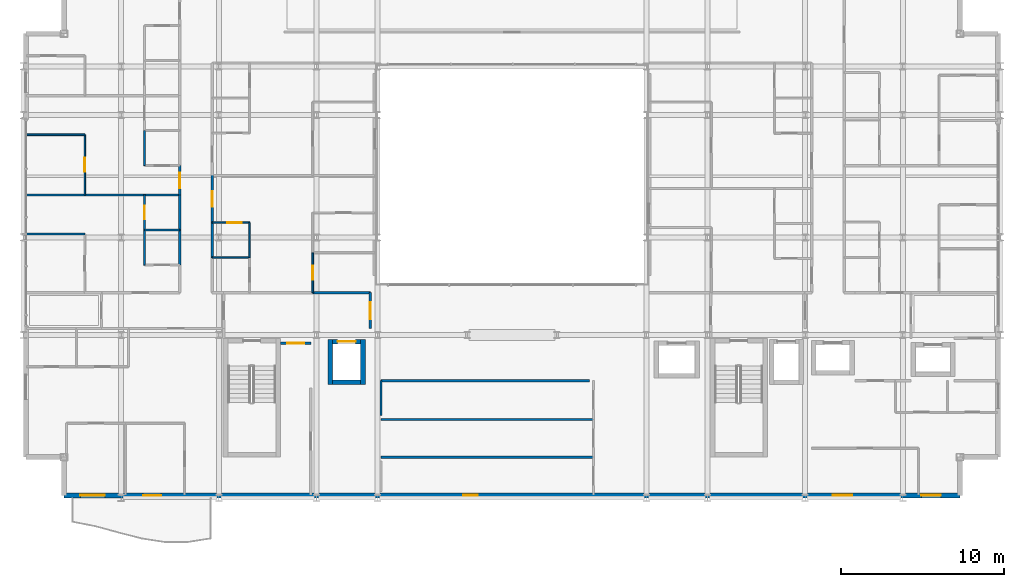
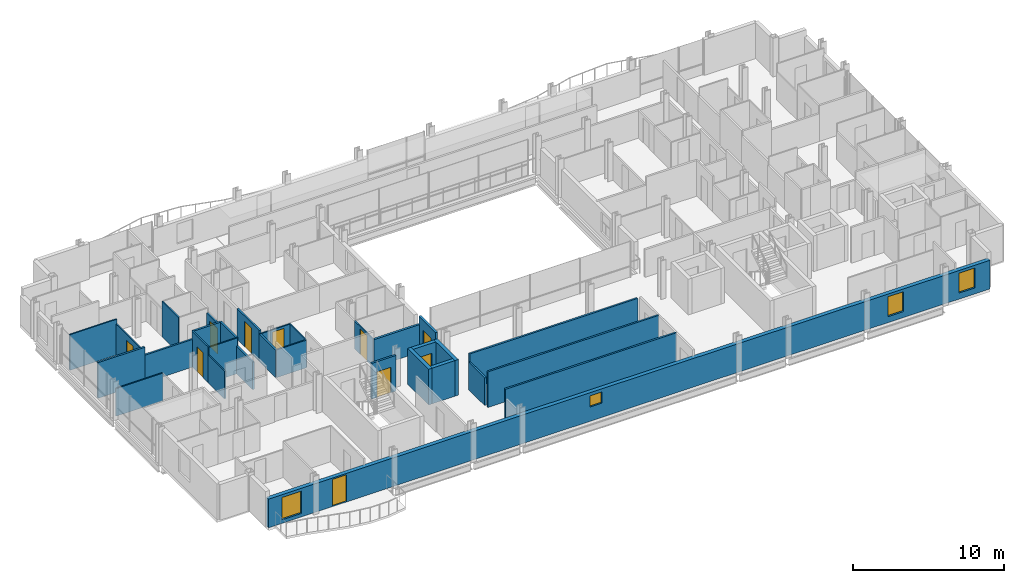
# One storey, part 32 of 41: 31 walls, 10 doors, 4 windows, 14 openings.
"""IFC4 building model written with IfcOpenShell, lengths in metres."""

from ifc_helpers import new_model, si_unit, direction, frame, frame_2d, origin, place, context, subcontext, project, spatial, rectangle, extrude, material, layer, layer_set, type_object, element, fill, save


model = new_model("IFC4")

# Units and contexts
model_context = context("Model", 3, precision=1e-05, world=origin(), true_north=direction((0.0, 1.0)))
body_context = subcontext(model_context, "Body", "Model", "MODEL_VIEW")
ifc_project = project(units=[si_unit("LENGTHUNIT", "METRE"), si_unit("AREAUNIT", "SQUARE_METRE"), si_unit("VOLUMEUNIT", "CUBIC_METRE"), si_unit("PLANEANGLEUNIT", "RADIAN"), si_unit("MASSUNIT", "GRAM", prefix="KILO")], contexts=[model_context])

# Site, building, storey
site_placement = place(None, origin())
site = spatial("IfcSite", under=ifc_project, at=site_placement, CompositionType="ELEMENT")
building_placement = place(site_placement, origin())
building = spatial("IfcBuilding", under=site, at=building_placement, Name="Brevholm Reach", CompositionType="ELEMENT")
storey_placement = place(building_placement, frame((0.0, 0.0, 86.89990234375)))
storey = spatial("IfcBuildingStorey", under=building, at=storey_placement, Name="L25", CompositionType="ELEMENT", Elevation=86.89990234375)

# Walls
ifc_material_1 = material(Name="Concrete C50/60", Category="concrete")
ifc_layer_1 = layer(ifc_material_1, 0.280029296875)
ifc_layer_set_1 = layer_set([ifc_layer_1], Name="Concrete C50/60")
wall_type_1 = type_object("IfcWallType", Name="WAL-COR-280", PredefinedType="SHEAR", material=ifc_layer_set_1)
for number, where, z_axis, x_axis, name in (
    (1, (18.85009765625, 6.9599609375, 0.0), (0.0, 0.0, 1.0), (0.0, 1.0, 0.0), "L25 Lift FFL-1 Shaft Wall W"),
    (2, (20.85009765625, 6.9599609375, 0.0), (0.0, 0.0, 1.0), (0.0, 1.0, 0.0), "L25 Lift FFL-1 Shaft Wall E"),
):
    element("IfcWall", number, at=place(storey_placement, frame(where, z_axis=z_axis, x_axis=x_axis)), inside=storey, type_object=wall_type_1, Name=name, PredefinedType="SHEAR", context=body_context, shape_type="SweptSolid", body=[
        extrude(rectangle(XDim=2.780029296875, YDim=0.280029296875, at=frame_2d((1.39013671875, 0.0))), origin(), (0.0, 0.0, 1.0), 2.8701171875),
    ])
wall_1_placement = place(storey_placement, frame((18.989990234375, 7.10009765625, 0.0), z_axis=(0.0, 0.0, 1.0), x_axis=(1.0, 0.0, 0.0)))
element("IfcWall", 3, at=wall_1_placement, inside=storey, type_object=wall_type_1, Name="L25 Lift FFL-1 Shaft Wall S", PredefinedType="SHEAR", context=body_context, shape_type="SweptSolid", body=[
    extrude(rectangle(XDim=1.719970703125, YDim=0.280029296875, at=frame_2d((0.85986328125, 0.0))), origin(), (0.0, 0.0, 1.0), 2.8701171875),
])

# Wall, opening, door
wall_2_placement = place(storey_placement, frame((18.989990234375, 9.60009765625, 0.0), z_axis=(0.0, 0.0, 1.0), x_axis=(1.0, 0.0, 0.0)))
wall_2 = element("IfcWall", 4, at=wall_2_placement, inside=storey, type_object=wall_type_1, Name="L25 Lift FFL-1 Shaft Wall N", PredefinedType="SHEAR", context=body_context, shape_type="SweptSolid", body=[
    extrude(rectangle(XDim=1.719970703125, YDim=0.280029296875, at=frame_2d((0.85986328125, 0.0))), origin(), (0.0, 0.0, 1.0), 2.8701171875),
])
opening_1_placement = place(wall_2_placement, frame((0.31005859375, 0.0, 0.0)))
opening_1 = element("IfcOpeningElement", 5, at=opening_1_placement, cuts=wall_2, Name="Opening LD-FFL-1", PredefinedType="OPENING", context=body_context, shape_type="SweptSolid", body=[
    extrude(rectangle(XDim=1.10009765625, YDim=2.06005859375, at=frame_2d((0.550048828125, 1.030029296875))), frame((0.0, 0.14990234375, 0.0), z_axis=(0.0, -1.0, 0.0), x_axis=(1.0, 0.0, 0.0)), (0.0, 0.0, 1.0), 0.300048828125),
])
ifc_material_2 = material(Name="Brushed Stainless Steel Fire-Rated Sliding Lift Door", Category="steel")
door_type_1 = type_object("IfcDoorType", Name="DOR-LFT-1100", OperationType="NOTDEFINED", PredefinedType="DOOR", material=ifc_material_2)
door_1_placement = place(opening_1_placement, origin())
door_1 = element("IfcDoor", 6, at=door_1_placement, inside=storey, type_object=door_type_1, Name="L25 Lift FFL-1 Sliding Landing Door", OperationType="SLIDING_TO_LEFT", OverallHeight=2.06005859375, OverallWidth=1.10009765625, PredefinedType="DOOR", context=body_context, shape_type="SweptSolid", body=[
    extrude(rectangle(XDim=1.10009765625, YDim=2.06005859375, at=frame_2d((0.550048828125, 1.030029296875))), frame((0.0, 0.02490234375, 0.0), z_axis=(0.0, -1.0, 0.0), x_axis=(1.0, 0.0, 0.0)), (0.0, 0.0, 1.0), 0.050048828125),
])
fill(opening_1, door_1)

# Wall, openings, door, windows
ifc_material_3 = material(Name="Concrete C40/50", Category="concrete")
ifc_layer_2 = layer(ifc_material_3, 0.300048828125)
ifc_layer_set_2 = layer_set([ifc_layer_2], Name="Concrete C40/50")
wall_type_2 = type_object("IfcWallType", Name="WAL-EXT-300", PredefinedType="STANDARD", material=ifc_layer_set_2)
wall_3_placement = place(storey_placement, frame((2.5, 0.14990234375, 0.0), z_axis=(0.0, 0.0, 1.0), x_axis=(1.0, 0.0, 0.0)))
wall_3 = element("IfcWall", 7, at=wall_3_placement, inside=storey, type_object=wall_type_2, Name="L25 Facade Wall WAL-L25-S", PredefinedType="STANDARD", context=body_context, shape_type="SweptSolid", body=[
    extrude(rectangle(XDim=55.0, YDim=0.300048828125, at=frame_2d((27.5, 0.0))), origin(), (0.0, 0.0, 1.0), 2.3056640625),
])
opening_2_placement = place(wall_3_placement, frame((4.85009765625, 0.0, 0.0)))
opening_2 = element("IfcOpeningElement", 8, at=opening_2_placement, cuts=wall_3, Name="Opening BD-01", PredefinedType="OPENING", context=body_context, shape_type="SweptSolid", body=[
    extrude(rectangle(XDim=1.10009765625, YDim=2.199951171875, at=frame_2d((0.550048828125, 1.10009765625))), frame((0.0, 0.159912109375, 0.0), z_axis=(0.0, -1.0, 0.0), x_axis=(1.0, 0.0, 0.0)), (0.0, 0.0, 1.0), 0.320068359375),
])
opening_3_placement = place(wall_3_placement, frame((1.0, 0.0, 0.284912109375)))
opening_3 = element("IfcOpeningElement", 9, at=opening_3_placement, cuts=wall_3, Name="Opening WN-05", PredefinedType="OPENING", context=body_context, shape_type="SweptSolid", body=[
    extrude(rectangle(XDim=1.5, YDim=1.800048828125, at=frame_2d((0.75, 0.89990234375))), frame((0.0, 0.159912109375, 0.0), z_axis=(0.0, -1.0, 0.0), x_axis=(1.0, 0.0, 0.0)), (0.0, 0.0, 1.0), 0.320068359375),
])
opening_4_placement = place(wall_3_placement, frame((24.5, 0.0, 1.14990234375)))
opening_4 = element("IfcOpeningElement", 10, at=opening_4_placement, cuts=wall_3, Name="Opening WN-09", PredefinedType="OPENING", context=body_context, shape_type="SweptSolid", body=[
    extrude(rectangle(XDim=0.89990234375, YDim=0.89990234375, at=frame_2d((0.449951171875, 0.449951171875))), frame((0.0, 0.159912109375, 0.0), z_axis=(0.0, -1.0, 0.0), x_axis=(1.0, 0.0, 0.0)), (0.0, 0.0, 1.0), 0.320068359375),
])
opening_5_placement = place(wall_3_placement, frame((47.199951171875, 0.0, 0.485107421875)))
opening_5 = element("IfcOpeningElement", 11, at=opening_5_placement, cuts=wall_3, Name="Opening WN-08", PredefinedType="OPENING", context=body_context, shape_type="SweptSolid", body=[
    extrude(rectangle(XDim=1.199951171875, YDim=1.60009765625, at=frame_2d((0.60009765625, 0.800048828125))), frame((0.0, 0.159912109375, 0.0), z_axis=(0.0, -1.0, 0.0), x_axis=(1.0, 0.0, 0.0)), (0.0, 0.0, 1.0), 0.320068359375),
])
opening_6_placement = place(wall_3_placement, frame((52.6298828125, 0.0, 0.485107421875)))
opening_6 = element("IfcOpeningElement", 12, at=opening_6_placement, cuts=wall_3, Name="Opening WN-08", PredefinedType="OPENING", context=body_context, shape_type="SweptSolid", body=[
    extrude(rectangle(XDim=1.199951171875, YDim=1.60009765625, at=frame_2d((0.60009765625, 0.800048828125))), frame((0.0, 0.159912109375, 0.0), z_axis=(0.0, -1.0, 0.0), x_axis=(1.0, 0.0, 0.0)), (0.0, 0.0, 1.0), 0.320068359375),
])
ifc_material_4 = material(Name="Dark Anodised Aluminium and Triple-Glazed Glass", Category="aluminium")
door_type_2 = type_object("IfcDoorType", Name="DOR-BALC-1100", OperationType="NOTDEFINED", PredefinedType="DOOR", material=ifc_material_4)
door_2_placement = place(opening_2_placement, origin())
door_2 = element("IfcDoor", 13, at=door_2_placement, inside=storey, type_object=door_type_2, Name="L25 Exterior Door DOR-L25-BL-SW", OperationType="SINGLE_SWING_LEFT", OverallHeight=2.199951171875, OverallWidth=1.10009765625, PredefinedType="DOOR", context=body_context, shape_type="SweptSolid", body=[
    extrude(rectangle(XDim=1.10009765625, YDim=2.199951171875, at=frame_2d((0.550048828125, 1.10009765625))), frame((0.0, 0.02490234375, 0.0), z_axis=(0.0, -1.0, 0.0), x_axis=(1.0, 0.0, 0.0)), (0.0, 0.0, 1.0), 0.050048828125),
])
fill(opening_2, door_2)
ifc_material_5 = material(Name="Dark Anodised Aluminium and Solar-Control IGU Glass", Category="aluminium")
window_type_1 = type_object("IfcWindowType", Name="WIN-POR-0900", PartitioningType="SINGLE_PANEL", PredefinedType="WINDOW", material=ifc_material_5)
window_1_placement = place(opening_4_placement, origin())
window_1 = element("IfcWindow", 14, at=window_1_placement, inside=storey, type_object=window_type_1, Name="L25 Window WIN-L25-S-POR", OverallHeight=0.89990234375, OverallWidth=0.89990234375, PartitioningType="SINGLE_PANEL", PredefinedType="WINDOW", context=body_context, shape_type="SweptSolid", body=[
    extrude(rectangle(XDim=0.89990234375, YDim=0.89990234375, at=frame_2d((0.449951171875, 0.449951171875))), frame((0.0, 0.030029296875, 0.0), z_axis=(0.0, -1.0, 0.0), x_axis=(1.0, 0.0, 0.0)), (0.0, 0.0, 1.0), 0.06005859375),
])
fill(opening_4, window_1)
ifc_material_6 = material(Name="Dark Anodised Aluminium and Solar-Control IGU Glass", Category="aluminium")
window_type_2 = type_object("IfcWindowType", Name="WIN-RES-1200", PartitioningType="SINGLE_PANEL", PredefinedType="WINDOW", material=ifc_material_6)
window_2_placement = place(opening_5_placement, origin())
window_2 = element("IfcWindow", 15, at=window_2_placement, inside=storey, type_object=window_type_2, Name="L25 Window WIN-L25-S-E1", OverallHeight=1.60009765625, OverallWidth=1.199951171875, PartitioningType="SINGLE_PANEL", PredefinedType="WINDOW", context=body_context, shape_type="SweptSolid", body=[
    extrude(rectangle(XDim=1.199951171875, YDim=1.60009765625, at=frame_2d((0.60009765625, 0.800048828125))), frame((0.0, 0.030029296875, 0.0), z_axis=(0.0, -1.0, 0.0), x_axis=(1.0, 0.0, 0.0)), (0.0, 0.0, 1.0), 0.06005859375),
])
fill(opening_5, window_2)
window_3_placement = place(opening_6_placement, origin())
window_3 = element("IfcWindow", 16, at=window_3_placement, inside=storey, type_object=window_type_2, Name="L25 Window WIN-L25-S-E2", OverallHeight=1.60009765625, OverallWidth=1.199951171875, PartitioningType="SINGLE_PANEL", PredefinedType="WINDOW", context=body_context, shape_type="SweptSolid", body=[
    extrude(rectangle(XDim=1.199951171875, YDim=1.60009765625, at=frame_2d((0.60009765625, 0.800048828125))), frame((0.0, 0.030029296875, 0.0), z_axis=(0.0, -1.0, 0.0), x_axis=(1.0, 0.0, 0.0)), (0.0, 0.0, 1.0), 0.06005859375),
])
fill(opening_6, window_3)
ifc_material_7 = material(Name="Dark Anodised Aluminium and Solar-Control IGU Glass", Category="aluminium")
window_type_3 = type_object("IfcWindowType", Name="WIN-RES-1500", PartitioningType="SINGLE_PANEL", PredefinedType="WINDOW", material=ifc_material_7)
window_4_placement = place(opening_3_placement, origin())
window_4 = element("IfcWindow", 17, at=window_4_placement, inside=storey, type_object=window_type_3, Name="L25 Window WIN-L25-S-W1", OverallHeight=1.800048828125, OverallWidth=1.5, PartitioningType="SINGLE_PANEL", PredefinedType="WINDOW", context=body_context, shape_type="SweptSolid", body=[
    extrude(rectangle(XDim=1.5, YDim=1.800048828125, at=frame_2d((0.75, 0.89990234375))), frame((0.0, 0.030029296875, 0.0), z_axis=(0.0, -1.0, 0.0), x_axis=(1.0, 0.0, 0.0)), (0.0, 0.0, 1.0), 0.06005859375),
])
fill(opening_3, window_4)

# Wall
ifc_material_8 = material(Name="Moisture-Resistant Acoustic Gypsum Stud Partition 100 mm", Category="gypsum")
ifc_layer_3 = layer(ifc_material_8, 0.10009765625)
ifc_layer_set_3 = layer_set([ifc_layer_3], Name="Moisture-Resistant Acoustic Gypsum Stud Partition 100 mm")
wall_type_3 = type_object("IfcWallType", Name="WAL-PRT-100", PredefinedType="PARTITIONING", material=ifc_layer_set_3)
wall_4_placement = place(storey_placement, frame((7.43798828125, 16.449951171875, 0.0), z_axis=(0.0, 0.0, 1.0), x_axis=(1.0, 0.0, 0.0)))
element("IfcWall", 18, at=wall_4_placement, inside=storey, type_object=wall_type_3, Name="L25 Internal Partition 085", PredefinedType="PARTITIONING", context=body_context, shape_type="SweptSolid", body=[
    extrude(rectangle(XDim=2.157958984375, YDim=0.10009765625, at=frame_2d((1.0791015625, 0.0))), origin(), (0.0, 0.0, 1.0), 2.8701171875),
])

# Wall, opening, door
wall_5_placement = place(storey_placement, frame((7.43798828125, 16.449951171875, 0.0), z_axis=(0.0, 0.0, 1.0), x_axis=(0.0, 1.0, 0.0)))
wall_5 = element("IfcWall", 19, at=wall_5_placement, inside=storey, type_object=wall_type_3, Name="L25 Internal Partition 086", PredefinedType="PARTITIONING", context=body_context, shape_type="SweptSolid", body=[
    extrude(rectangle(XDim=2.150146484375, YDim=0.10009765625, at=frame_2d((1.0751953125, 0.0))), origin(), (0.0, 0.0, 1.0), 2.8701171875),
])
opening_7_placement = place(wall_5_placement, frame((0.6650390625, 0.0, 0.0)))
opening_7 = element("IfcOpeningElement", 20, at=opening_7_placement, cuts=wall_5, Name="Opening ID-03", PredefinedType="OPENING", context=body_context, shape_type="SweptSolid", body=[
    extrude(rectangle(XDim=0.820068359375, YDim=2.02001953125, at=frame_2d((0.41015625, 1.010009765625))), frame((0.0, 0.06005859375, 0.0), z_axis=(0.0, -1.0, 0.0), x_axis=(1.0, 0.0, 0.0)), (0.0, 0.0, 1.0), 0.1201171875),
])
ifc_material_9 = material(Name="Moisture-Resistant Painted Timber Internal Bathroom Door", Category="wood")
door_type_3 = type_object("IfcDoorType", Name="DOR-BATH-820", OperationType="NOTDEFINED", PredefinedType="DOOR", material=ifc_material_9)
door_3_placement = place(opening_7_placement, origin())
door_3 = element("IfcDoor", 21, at=door_3_placement, inside=storey, type_object=door_type_3, Name="L25 Internal Door 031", OperationType="SINGLE_SWING_RIGHT", OverallHeight=2.02001953125, OverallWidth=0.820068359375, PredefinedType="DOOR", context=body_context, shape_type="SweptSolid", body=[
    extrude(rectangle(XDim=0.820068359375, YDim=2.02001953125, at=frame_2d((0.41015625, 1.010009765625))), frame((0.0, 0.02490234375, 0.0), z_axis=(0.0, -1.0, 0.0), x_axis=(1.0, 0.0, 0.0)), (0.0, 0.0, 1.0), 0.050048828125),
])
fill(opening_7, door_3)

# Walls
wall_6_placement = place(storey_placement, frame((7.43798828125, 14.300048828125, 0.0), z_axis=(0.0, 0.0, 1.0), x_axis=(0.0, 1.0, 0.0)))
element("IfcWall", 22, at=wall_6_placement, inside=storey, type_object=wall_type_3, Name="L25 Internal Partition 089", PredefinedType="PARTITIONING", context=body_context, shape_type="SweptSolid", body=[
    extrude(rectangle(XDim=2.14599609375, YDim=0.10009765625, at=frame_2d((1.072998046875, 0.0))), origin(), (0.0, 0.0, 1.0), 2.224853515625),
])
wall_7_placement = place(storey_placement, frame((0.199951171875, 16.199951171875, 0.0), z_axis=(0.0, 0.0, 1.0), x_axis=(1.0, 0.0, 0.0)))
element("IfcWall", 23, at=wall_7_placement, inside=storey, type_object=wall_type_3, Name="L25 Internal Partition 091", PredefinedType="PARTITIONING", context=body_context, shape_type="SweptSolid", body=[
    extrude(rectangle(XDim=3.572021484375, YDim=0.10009765625, at=frame_2d((1.7861328125, 0.0))), origin(), (0.0, 0.0, 1.0), 2.224853515625),
])
wall_8_placement = place(storey_placement, frame((7.43798828125, 20.39990234375, 0.0), z_axis=(0.0, 0.0, 1.0), x_axis=(0.0, 1.0, 0.0)))
element("IfcWall", 24, at=wall_8_placement, inside=storey, type_object=wall_type_3, Name="L25 Internal Partition 098", PredefinedType="PARTITIONING", context=body_context, shape_type="SweptSolid", body=[
    extrude(rectangle(XDim=2.14599609375, YDim=0.10009765625, at=frame_2d((1.072998046875, 0.0))), origin(), (0.0, 0.0, 1.0), 2.8701171875),
])

# Wall, opening, door
wall_9_placement = place(storey_placement, frame((3.77197265625, 18.60400390625, 0.0), z_axis=(0.0, 0.0, 1.0), x_axis=(0.0, 1.0, 0.0)))
wall_9 = element("IfcWall", 25, at=wall_9_placement, inside=storey, type_object=wall_type_3, Name="L25 Internal Partition 099", PredefinedType="PARTITIONING", context=body_context, shape_type="SweptSolid", body=[
    extrude(rectangle(XDim=3.696044921875, YDim=0.10009765625, at=frame_2d((1.84814453125, 0.0))), origin(), (0.0, 0.0, 1.0), 2.489990234375),
])
opening_8_placement = place(wall_9_placement, frame((1.407958984375, 0.0, 0.0)))
opening_8 = element("IfcOpeningElement", 26, at=opening_8_placement, cuts=wall_9, Name="Opening ID-01", PredefinedType="OPENING", context=body_context, shape_type="SweptSolid", body=[
    extrude(rectangle(XDim=0.8798828125, YDim=2.0400390625, at=frame_2d((0.43994140625, 1.02001953125))), frame((0.0, 0.06005859375, 0.0), z_axis=(0.0, -1.0, 0.0), x_axis=(1.0, 0.0, 0.0)), (0.0, 0.0, 1.0), 0.1201171875),
])
ifc_material_10 = material(Name="Lacquered Ash Solid-Core Acoustic Internal Door", Category="timber")
door_type_4 = type_object("IfcDoorType", Name="DOR-INT-880", OperationType="NOTDEFINED", PredefinedType="DOOR", material=ifc_material_10)
door_4_placement = place(opening_8_placement, origin())
door_4 = element("IfcDoor", 27, at=door_4_placement, inside=storey, type_object=door_type_4, Name="L25 Internal Door 036", OperationType="SINGLE_SWING_LEFT", OverallHeight=2.0400390625, OverallWidth=0.8798828125, PredefinedType="DOOR", context=body_context, shape_type="SweptSolid", body=[
    extrude(rectangle(XDim=0.8798828125, YDim=2.0400390625, at=frame_2d((0.43994140625, 1.02001953125))), frame((0.0, 0.02490234375, 0.0), z_axis=(0.0, -1.0, 0.0), x_axis=(1.0, 0.0, 0.0)), (0.0, 0.0, 1.0), 0.050048828125),
])
fill(opening_8, door_4)

# Walls
wall_10_placement = place(storey_placement, frame((0.199951171875, 22.300048828125, 0.0), z_axis=(0.0, 0.0, 1.0), x_axis=(1.0, 0.0, 0.0)))
element("IfcWall", 28, at=wall_10_placement, inside=storey, type_object=wall_type_3, Name="L25 Internal Partition 100", PredefinedType="PARTITIONING", context=body_context, shape_type="SweptSolid", body=[
    extrude(rectangle(XDim=3.572021484375, YDim=0.10009765625, at=frame_2d((1.7861328125, 0.0))), origin(), (0.0, 0.0, 1.0), 2.8701171875),
])
wall_11_placement = place(storey_placement, frame((11.60400390625, 14.75, 0.0), z_axis=(0.0, 0.0, 1.0), x_axis=(1.0, 0.0, 0.0)))
element("IfcWall", 29, at=wall_11_placement, inside=storey, type_object=wall_type_3, Name="L25 Internal Partition 109", PredefinedType="PARTITIONING", context=body_context, shape_type="SweptSolid", body=[
    extrude(rectangle(XDim=2.284912109375, YDim=0.10009765625, at=frame_2d((1.142578125, 0.0))), origin(), (0.0, 0.0, 1.0), 2.224853515625),
])
wall_12_placement = place(storey_placement, frame((13.888916015625, 14.75390625, 0.0), z_axis=(0.0, 0.0, 1.0), x_axis=(0.0, 1.0, 0.0)))
element("IfcWall", 30, at=wall_12_placement, inside=storey, type_object=wall_type_3, Name="L25 Internal Partition 111", PredefinedType="PARTITIONING", context=body_context, shape_type="SweptSolid", body=[
    extrude(rectangle(XDim=2.14599609375, YDim=0.10009765625, at=frame_2d((1.072998046875, 0.0))), origin(), (0.0, 0.0, 1.0), 2.224853515625),
])

# Wall, opening, door
wall_13_placement = place(storey_placement, frame((11.60400390625, 16.89990234375, 0.0), z_axis=(0.0, 0.0, 1.0), x_axis=(1.0, 0.0, 0.0)))
wall_13 = element("IfcWall", 31, at=wall_13_placement, inside=storey, type_object=wall_type_3, Name="L25 Internal Partition 112", PredefinedType="PARTITIONING", context=body_context, shape_type="SweptSolid", body=[
    extrude(rectangle(XDim=2.284912109375, YDim=0.10009765625, at=frame_2d((1.142578125, 0.0))), origin(), (0.0, 0.0, 1.0), 2.224853515625),
])
opening_9_placement = place(wall_13_placement, frame((0.922607421875, 0.0, 0.0)))
opening_9 = element("IfcOpeningElement", 32, at=opening_9_placement, cuts=wall_13, Name="Opening ID-01", PredefinedType="OPENING", context=body_context, shape_type="SweptSolid", body=[
    extrude(rectangle(XDim=0.8798828125, YDim=2.0400390625, at=frame_2d((0.43994140625, 1.02001953125))), frame((0.0, 0.06005859375, 0.0), z_axis=(0.0, -1.0, 0.0), x_axis=(1.0, 0.0, 0.0)), (0.0, 0.0, 1.0), 0.1201171875),
])
door_5_placement = place(opening_9_placement, origin())
door_5 = element("IfcDoor", 33, at=door_5_placement, inside=storey, type_object=door_type_4, Name="L25 Internal Door 041", OperationType="SINGLE_SWING_RIGHT", OverallHeight=2.0400390625, OverallWidth=0.8798828125, PredefinedType="DOOR", context=body_context, shape_type="SweptSolid", body=[
    extrude(rectangle(XDim=0.8798828125, YDim=2.0400390625, at=frame_2d((0.43994140625, 1.02001953125))), frame((0.0, 0.02490234375, 0.0), z_axis=(0.0, -1.0, 0.0), x_axis=(1.0, 0.0, 0.0)), (0.0, 0.0, 1.0), 0.050048828125),
])
fill(opening_9, door_5)

wall_14_placement = place(storey_placement, frame((17.76904296875, 12.60400390625, 0.0), z_axis=(0.0, 0.0, 1.0), x_axis=(0.0, 1.0, 0.0)))
wall_14 = element("IfcWall", 34, at=wall_14_placement, inside=storey, type_object=wall_type_3, Name="L25 Internal Partition 114", PredefinedType="PARTITIONING", context=body_context, shape_type="SweptSolid", body=[
    extrude(rectangle(XDim=2.446044921875, YDim=0.10009765625, at=frame_2d((1.22314453125, 0.0))), origin(), (0.0, 0.0, 1.0), 2.224853515625),
])
opening_10_placement = place(wall_14_placement, frame((0.782958984375, 0.0, 0.0)))
opening_10 = element("IfcOpeningElement", 35, at=opening_10_placement, cuts=wall_14, Name="Opening ID-01", PredefinedType="OPENING", context=body_context, shape_type="SweptSolid", body=[
    extrude(rectangle(XDim=0.8798828125, YDim=2.0400390625, at=frame_2d((0.43994140625, 1.02001953125))), frame((0.0, 0.06005859375, 0.0), z_axis=(0.0, -1.0, 0.0), x_axis=(1.0, 0.0, 0.0)), (0.0, 0.0, 1.0), 0.1201171875),
])
door_6_placement = place(opening_10_placement, origin())
door_6 = element("IfcDoor", 36, at=door_6_placement, inside=storey, type_object=door_type_4, Name="L25 Internal Door 042", OperationType="SINGLE_SWING_LEFT", OverallHeight=2.0400390625, OverallWidth=0.8798828125, PredefinedType="DOOR", context=body_context, shape_type="SweptSolid", body=[
    extrude(rectangle(XDim=0.8798828125, YDim=2.0400390625, at=frame_2d((0.43994140625, 1.02001953125))), frame((0.0, 0.02490234375, 0.0), z_axis=(0.0, -1.0, 0.0), x_axis=(1.0, 0.0, 0.0)), (0.0, 0.0, 1.0), 0.050048828125),
])
fill(opening_10, door_6)

# Walls
ifc_material_11 = material(Name="Twin-Stud Acoustic Fire-Rated Gypsum Partition 140 mm", Category="gypsum")
ifc_layer_4 = layer(ifc_material_11, 0.139892578125)
ifc_layer_set_4 = layer_set([ifc_layer_4], Name="Twin-Stud Acoustic Fire-Rated Gypsum Partition 140 mm")
wall_type_4 = type_object("IfcWallType", Name="WAL-PRT-140", PredefinedType="PARTITIONING", material=ifc_layer_set_4)
for number, where, z_axis, x_axis, name in (
    (37, (21.949951171875, 2.4970703125, 0.0), (0.0, 0.0, 1.0), (1.0, 0.0, 0.0), "L25 Internal Partition 004"),
    (38, (21.949951171875, 4.81298828125, 0.0), (0.0, 0.0, 1.0), (1.0, 0.0, 0.0), "L25 Internal Partition 005"),
):
    element("IfcWall", number, at=place(storey_placement, frame(where, z_axis=z_axis, x_axis=x_axis)), inside=storey, type_object=wall_type_4, Name=name, PredefinedType="PARTITIONING", context=body_context, shape_type="SweptSolid", body=[
        extrude(rectangle(XDim=13.046142578125, YDim=0.139892578125, at=frame_2d((6.52294921875, 0.0))), origin(), (0.0, 0.0, 1.0), 2.8701171875),
    ])
wall_15_placement = place(storey_placement, frame((9.60009765625, 16.438720703125, 0.0), z_axis=(0.0, 0.0, 1.0), x_axis=(0.0, 1.0, 0.0)))
element("IfcWall", 39, at=wall_15_placement, inside=storey, type_object=wall_type_4, Name="L25 Internal Partition 030", PredefinedType="PARTITIONING", context=body_context, shape_type="SweptSolid", body=[
    extrude(rectangle(XDim=2.172607421875, YDim=0.139892578125, at=frame_2d((1.08642578125, 0.0))), origin(), (0.0, 0.0, 1.0), 2.8701171875),
])
wall_16_placement = place(storey_placement, frame((9.60009765625, 14.288818359375, 0.0), z_axis=(0.0, 0.0, 1.0), x_axis=(0.0, 1.0, 0.0)))
element("IfcWall", 40, at=wall_16_placement, inside=storey, type_object=wall_type_4, Name="L25 Internal Partition 031", PredefinedType="PARTITIONING", context=body_context, shape_type="SweptSolid", body=[
    extrude(rectangle(XDim=2.16845703125, YDim=0.139892578125, at=frame_2d((1.084228515625, 0.0))), origin(), (0.0, 0.0, 1.0), 2.224853515625),
])

# Wall, opening, door
wall_17_placement = place(storey_placement, frame((9.60009765625, 18.5927734375, 0.0), z_axis=(0.0, 0.0, 1.0), x_axis=(0.0, 1.0, 0.0)))
wall_17 = element("IfcWall", 41, at=wall_17_placement, inside=storey, type_object=wall_type_4, Name="L25 Internal Partition 035", PredefinedType="PARTITIONING", context=body_context, shape_type="SweptSolid", body=[
    extrude(rectangle(XDim=1.814453125, YDim=0.139892578125, at=frame_2d((0.9072265625, 0.0))), origin(), (0.0, 0.0, 1.0), 2.489990234375),
])
opening_11_placement = place(wall_17_placement, frame((0.432373046875, 0.0, 0.0)))
opening_11 = element("IfcOpeningElement", 42, at=opening_11_placement, cuts=wall_17, Name="Opening ID-30", PredefinedType="OPENING", context=body_context, shape_type="SweptSolid", body=[
    extrude(rectangle(XDim=0.949951171875, YDim=2.050048828125, at=frame_2d((0.47509765625, 1.02490234375))), frame((0.0, 0.079833984375, 0.0), z_axis=(0.0, -1.0, 0.0), x_axis=(1.0, 0.0, 0.0)), (0.0, 0.0, 1.0), 0.159912109375),
])
ifc_material_12 = material(Name="European Oak Veneered Solid-Core Fire Entrance Door", Category="timber")
door_type_5 = type_object("IfcDoorType", Name="DOR-FLT-FD30S", OperationType="NOTDEFINED", PredefinedType="DOOR", material=ifc_material_12)
door_7_placement = place(opening_11_placement, origin())
door_7 = element("IfcDoor", 43, at=door_7_placement, inside=storey, type_object=door_type_5, Name="L25 Internal Door 016", OperationType="SINGLE_SWING_LEFT", OverallHeight=2.050048828125, OverallWidth=0.949951171875, PredefinedType="DOOR", context=body_context, shape_type="SweptSolid", body=[
    extrude(rectangle(XDim=0.949951171875, YDim=2.050048828125, at=frame_2d((0.47509765625, 1.02490234375))), frame((0.0, 0.02490234375, 0.0), z_axis=(0.0, -1.0, 0.0), x_axis=(1.0, 0.0, 0.0)), (0.0, 0.0, 1.0), 0.050048828125),
])
fill(opening_11, door_7)

# Wall
wall_18_placement = place(storey_placement, frame((11.60009765625, 14.74267578125, 0.0), z_axis=(0.0, 0.0, 1.0), x_axis=(0.0, 1.0, 0.0)))
element("IfcWall", 44, at=wall_18_placement, inside=storey, type_object=wall_type_4, Name="L25 Internal Partition 040", PredefinedType="PARTITIONING", context=body_context, shape_type="SweptSolid", body=[
    extrude(rectangle(XDim=2.168701171875, YDim=0.139892578125, at=frame_2d((1.08447265625, 0.0))), origin(), (0.0, 0.0, 1.0), 2.224853515625),
])

# Wall, opening, door
wall_19_placement = place(storey_placement, frame((11.60009765625, 16.892578125, 0.0), z_axis=(0.0, 0.0, 1.0), x_axis=(0.0, 1.0, 0.0)))
wall_19 = element("IfcWall", 45, at=wall_19_placement, inside=storey, type_object=wall_type_4, Name="L25 Internal Partition 041", PredefinedType="PARTITIONING", context=body_context, shape_type="SweptSolid", body=[
    extrude(rectangle(XDim=2.918701171875, YDim=0.139892578125, at=frame_2d((1.45947265625, 0.0))), origin(), (0.0, 0.0, 1.0), 2.489990234375),
])
opening_12_placement = place(wall_19_placement, frame((0.984375, 0.0, 0.0)))
opening_12 = element("IfcOpeningElement", 46, at=opening_12_placement, cuts=wall_19, Name="Opening ID-30", PredefinedType="OPENING", context=body_context, shape_type="SweptSolid", body=[
    extrude(rectangle(XDim=0.949951171875, YDim=2.050048828125, at=frame_2d((0.47509765625, 1.02490234375))), frame((0.0, 0.079833984375, 0.0), z_axis=(0.0, -1.0, 0.0), x_axis=(1.0, 0.0, 0.0)), (0.0, 0.0, 1.0), 0.159912109375),
])
door_8_placement = place(opening_12_placement, origin())
door_8 = element("IfcDoor", 47, at=door_8_placement, inside=storey, type_object=door_type_5, Name="L25 Internal Door 018", OperationType="SINGLE_SWING_LEFT", OverallHeight=2.050048828125, OverallWidth=0.949951171875, PredefinedType="DOOR", context=body_context, shape_type="SweptSolid", body=[
    extrude(rectangle(XDim=0.949951171875, YDim=2.050048828125, at=frame_2d((0.47509765625, 1.02490234375))), frame((0.0, 0.02490234375, 0.0), z_axis=(0.0, -1.0, 0.0), x_axis=(1.0, 0.0, 0.0)), (0.0, 0.0, 1.0), 0.050048828125),
])
fill(opening_12, door_8)

# Walls
wall_20_placement = place(storey_placement, frame((7.43798828125, 18.60009765625, 0.0), z_axis=(0.0, 0.0, 1.0), x_axis=(1.0, 0.0, 0.0)))
element("IfcWall", 48, at=wall_20_placement, inside=storey, type_object=wall_type_4, Name="L25 Internal Partition 087", PredefinedType="PARTITIONING", context=body_context, shape_type="SweptSolid", body=[
    extrude(rectangle(XDim=2.157958984375, YDim=0.139892578125, at=frame_2d((1.0791015625, 0.0))), origin(), (0.0, 0.0, 1.0), 2.8701171875),
])
wall_21_placement = place(storey_placement, frame((0.199951171875, 18.60009765625, 0.0), z_axis=(0.0, 0.0, 1.0), x_axis=(1.0, 0.0, 0.0)))
element("IfcWall", 49, at=wall_21_placement, inside=storey, type_object=wall_type_4, Name="L25 Internal Partition 092", PredefinedType="PARTITIONING", context=body_context, shape_type="SweptSolid", body=[
    extrude(rectangle(XDim=3.583251953125, YDim=0.139892578125, at=frame_2d((1.79150390625, 0.0))), origin(), (0.0, 0.0, 1.0), 2.8701171875),
])
wall_22_placement = place(storey_placement, frame((3.7646484375, 18.60009765625, 0.0), z_axis=(0.0, 0.0, 1.0), x_axis=(1.0, 0.0, 0.0)))
element("IfcWall", 50, at=wall_22_placement, inside=storey, type_object=wall_type_4, Name="L25 Internal Partition 093", PredefinedType="PARTITIONING", context=body_context, shape_type="SweptSolid", body=[
    extrude(rectangle(XDim=3.66943359375, YDim=0.139892578125, at=frame_2d((1.834716796875, 0.0))), origin(), (0.0, 0.0, 1.0), 2.224853515625),
])
wall_23_placement = place(storey_placement, frame((21.949951171875, 7.199951171875, 0.0), z_axis=(0.0, 0.0, 1.0), x_axis=(1.0, 0.0, 0.0)))
element("IfcWall", 51, at=wall_23_placement, inside=storey, type_object=wall_type_4, Name="L25 Internal Partition 160", PredefinedType="PARTITIONING", context=body_context, shape_type="SweptSolid", body=[
    extrude(rectangle(XDim=12.81005859375, YDim=0.139892578125, at=frame_2d((6.405029296875, 0.0))), origin(), (0.0, 0.0, 1.0), 2.8701171875),
])
wall_24_placement = place(storey_placement, frame((21.949951171875, 5.052978515625, 0.0), z_axis=(0.0, 0.0, 1.0), x_axis=(0.0, 1.0, 0.0)))
element("IfcWall", 52, at=wall_24_placement, inside=storey, type_object=wall_type_4, Name="L25 Internal Partition 161", PredefinedType="PARTITIONING", context=body_context, shape_type="SweptSolid", body=[
    extrude(rectangle(XDim=2.14697265625, YDim=0.139892578125, at=frame_2d((1.073486328125, 0.0))), origin(), (0.0, 0.0, 1.0), 2.224853515625),
])

# Wall, opening, door
ifc_material_13 = material(Name="Twin-Frame Fire-Rated Gypsum Board and Mineral Wool 160 mm", Category="gypsum")
ifc_layer_5 = layer(ifc_material_13, 0.159912109375)
ifc_layer_set_5 = layer_set([ifc_layer_5], Name="Twin-Frame Fire-Rated Gypsum Board and Mineral Wool 160 mm")
wall_type_5 = type_object("IfcWallType", Name="WAL-PRT-160", PredefinedType="PARTITIONING", material=ifc_layer_set_5)
wall_25_placement = place(storey_placement, frame((15.800048828125, 9.5, 0.0), z_axis=(0.0, 0.0, 1.0), x_axis=(1.0, 0.0, 0.0)))
wall_25 = element("IfcWall", 53, at=wall_25_placement, inside=storey, type_object=wall_type_5, Name="L25 Internal Partition 007", PredefinedType="PARTITIONING", context=body_context, shape_type="SweptSolid", body=[
    extrude(rectangle(XDim=1.849853515625, YDim=0.159912109375, at=frame_2d((0.9248046875, 0.0))), origin(), (0.0, 0.0, 1.0), 2.8701171875),
])
opening_13_placement = place(wall_25_placement, frame((0.39990234375, 0.0, 0.0)))
opening_13 = element("IfcOpeningElement", 54, at=opening_13_placement, cuts=wall_25, Name="Opening FD-01", PredefinedType="OPENING", context=body_context, shape_type="SweptSolid", body=[
    extrude(rectangle(XDim=1.050048828125, YDim=2.06005859375, at=frame_2d((0.52490234375, 1.030029296875))), frame((0.0, 0.08984375, 0.0), z_axis=(0.0, -1.0, 0.0), x_axis=(1.0, 0.0, 0.0)), (0.0, 0.0, 1.0), 0.179931640625),
])
ifc_material_14 = material(Name="Hardwood-Lipped Steel-Core Fire and Smoke Door", Category="steel")
door_type_6 = type_object("IfcDoorType", Name="DOR-INT-FD60S", OperationType="NOTDEFINED", PredefinedType="DOOR", material=ifc_material_14)
door_9_placement = place(opening_13_placement, origin())
door_9 = element("IfcDoor", 55, at=door_9_placement, inside=storey, type_object=door_type_6, Name="L25 Internal Door 005", OperationType="SINGLE_SWING_RIGHT", OverallHeight=2.06005859375, OverallWidth=1.050048828125, PredefinedType="DOOR", context=body_context, shape_type="SweptSolid", body=[
    extrude(rectangle(XDim=1.050048828125, YDim=2.06005859375, at=frame_2d((0.52490234375, 1.030029296875))), frame((0.0, 0.02490234375, 0.0), z_axis=(0.0, -1.0, 0.0), x_axis=(1.0, 0.0, 0.0)), (0.0, 0.0, 1.0), 0.050048828125),
])
fill(opening_13, door_9)

wall_26_placement = place(storey_placement, frame((21.300048828125, 10.388671875, 0.0), z_axis=(0.0, 0.0, 1.0), x_axis=(0.0, 1.0, 0.0)))
wall_26 = element("IfcWall", 56, at=wall_26_placement, inside=storey, type_object=wall_type_5, Name="L25 Internal Partition 014", PredefinedType="PARTITIONING", context=body_context, shape_type="SweptSolid", body=[
    extrude(rectangle(XDim=2.21142578125, YDim=0.159912109375, at=frame_2d((1.105712890625, 0.0))), origin(), (0.0, 0.0, 1.0), 2.8701171875),
])
opening_14_placement = place(wall_26_placement, frame((0.58056640625, 0.0, 0.0)))
opening_14 = element("IfcOpeningElement", 57, at=opening_14_placement, cuts=wall_26, Name="Opening FD-01", PredefinedType="OPENING", context=body_context, shape_type="SweptSolid", body=[
    extrude(rectangle(XDim=1.050048828125, YDim=2.06005859375, at=frame_2d((0.52490234375, 1.030029296875))), frame((0.0, 0.08984375, 0.0), z_axis=(0.0, -1.0, 0.0), x_axis=(1.0, 0.0, 0.0)), (0.0, 0.0, 1.0), 0.179931640625),
])
door_10_placement = place(opening_14_placement, origin())
door_10 = element("IfcDoor", 58, at=door_10_placement, inside=storey, type_object=door_type_6, Name="L25 Internal Door 010", OperationType="SINGLE_SWING_LEFT", OverallHeight=2.06005859375, OverallWidth=1.050048828125, PredefinedType="DOOR", context=body_context, shape_type="SweptSolid", body=[
    extrude(rectangle(XDim=1.050048828125, YDim=2.06005859375, at=frame_2d((0.52490234375, 1.030029296875))), frame((0.0, 0.02490234375, 0.0), z_axis=(0.0, -1.0, 0.0), x_axis=(1.0, 0.0, 0.0)), (0.0, 0.0, 1.0), 0.050048828125),
])
fill(opening_14, door_10)

# Wall
wall_27_placement = place(storey_placement, frame((17.7578125, 12.60009765625, 0.0), z_axis=(0.0, 0.0, 1.0), x_axis=(1.0, 0.0, 0.0)))
element("IfcWall", 59, at=wall_27_placement, inside=storey, type_object=wall_type_5, Name="L25 Internal Partition 017", PredefinedType="PARTITIONING", context=body_context, shape_type="SweptSolid", body=[
    extrude(rectangle(XDim=3.542236328125, YDim=0.159912109375, at=frame_2d((1.77099609375, 0.0))), origin(), (0.0, 0.0, 1.0), 2.224853515625),
])

save(model, "model.ifc")
